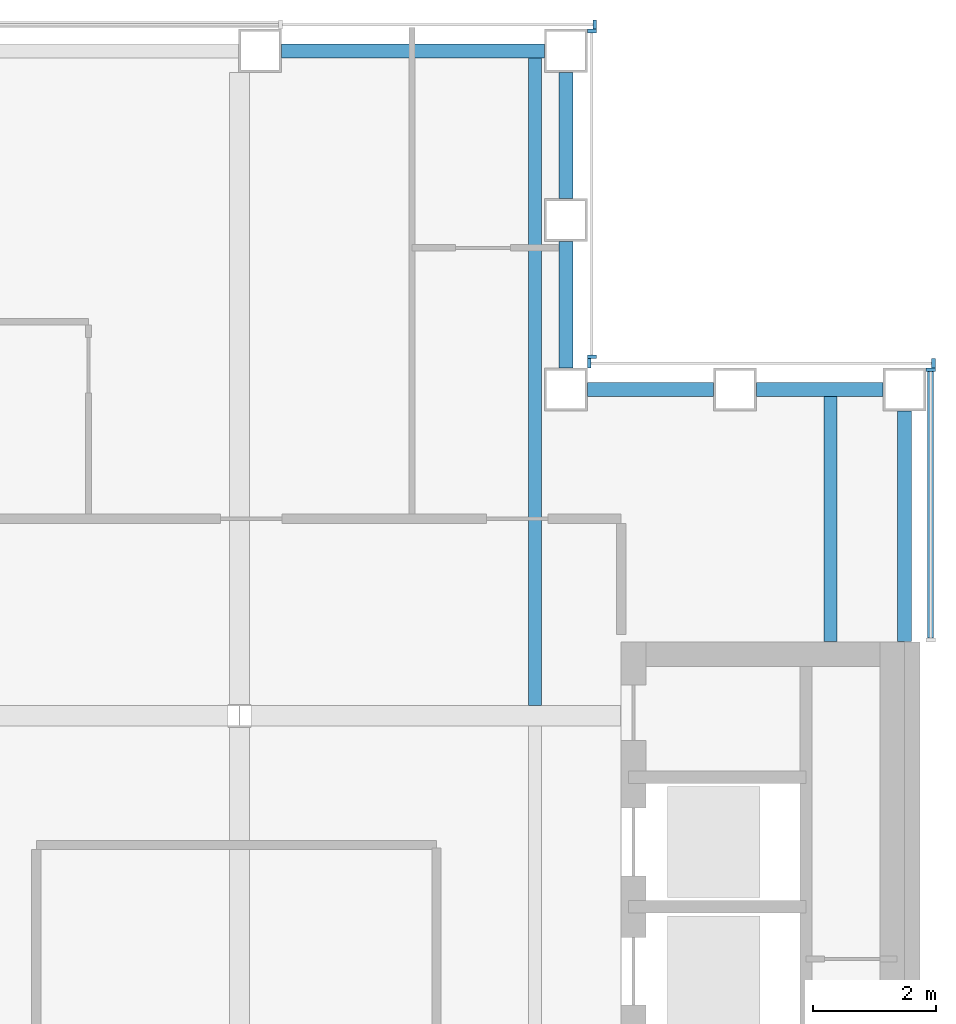
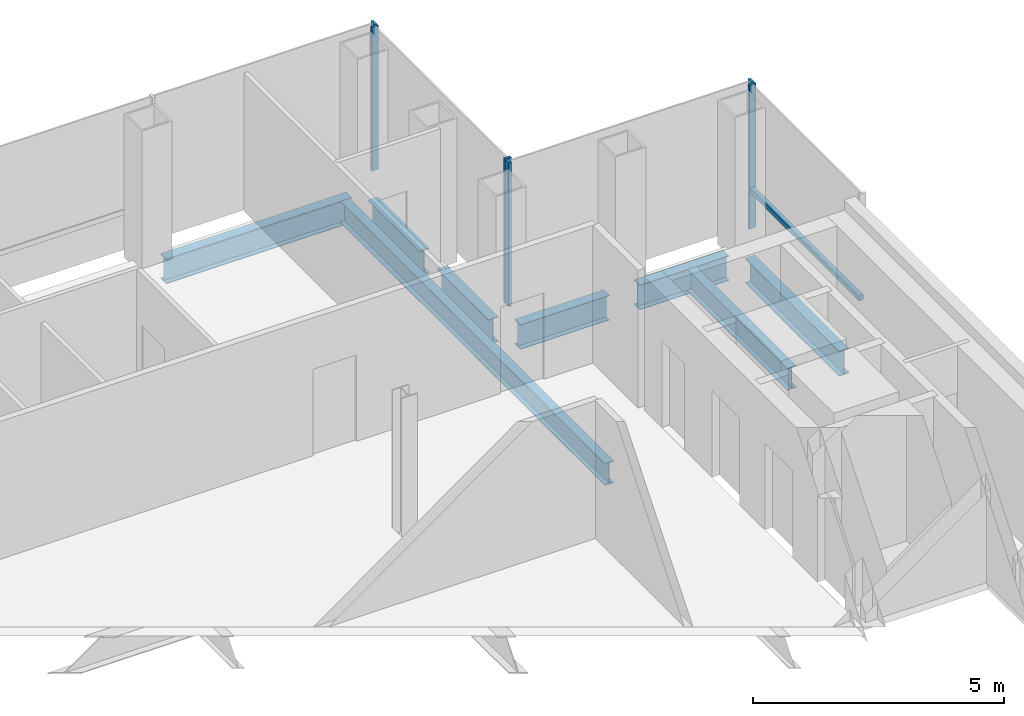
# One storey, part 8 of 15: 8 beams, 7 members, 4 elements without a shape of their own.
"""IFC4 building model written with IfcOpenShell, lengths in metres."""

from ifc_helpers import new_model, si_unit, direction, frame, origin, origin_2d, place, context, subcontext, project, spatial, rectangle, i_section, extrude, material, material_profile, profile_set, type_object, element, aggregate, save


model = new_model("IFC4")

# Units and contexts
model_context = context("Model", 3, precision=1e-05, world=origin(), true_north=direction((0.0, 1.0)))
body_context = subcontext(model_context, "Body", "Model", "MODEL_VIEW")
ifc_project = project(units=[si_unit("LENGTHUNIT", "METRE"), si_unit("AREAUNIT", "SQUARE_METRE"), si_unit("VOLUMEUNIT", "CUBIC_METRE"), si_unit("PLANEANGLEUNIT", "RADIAN"), si_unit("MASSUNIT", "GRAM", prefix="KILO")], contexts=[model_context])

# Site, building, storey
site_placement = place(None, origin())
site = spatial("IfcSite", under=ifc_project, at=site_placement, CompositionType="ELEMENT")
building_placement = place(site_placement, origin())
building = spatial("IfcBuilding", under=site, at=building_placement, Name="Cobrizo Arcos Hotel Tower", CompositionType="ELEMENT")
storey_placement = place(building_placement, frame((0.0, 0.0, 201.5)))
storey = spatial("IfcBuildingStorey", under=building, at=storey_placement, Name="L52", CompositionType="ELEMENT", Elevation=201.5)

# Curtain wall, member
ifc_material_1 = material(Name="Aluminium 6063-T6 anodised bronze", Category="aluminium")
curtain_wall_type = type_object("IfcCurtainWallType", Name="CW-A guest facade", PredefinedType="NOTDEFINED", material=ifc_material_1)
curtain_wall_1_placement = place(storey_placement, origin())
curtain_wall_1 = element("IfcCurtainWall", 1, at=curtain_wall_1_placement, inside=storey, type_object=curtain_wall_type, Name="CW-A L52 E face", PredefinedType="NOTDEFINED")
ifc_material_profile_1 = material_profile(ifc_material_1, rectangle(XDim=0.14990234375, YDim=0.06005859375, at=origin_2d()), Name="CW-A mullion 150x60")
ifc_profile_set_1 = profile_set([ifc_material_profile_1], Name="Aluminium 6063-T6 anodised bronze")
member_type_1 = type_object("IfcMemberType", Name="CW-A mullion 150x60", PredefinedType="MULLION", material=ifc_profile_set_1)
member_1_placement = place(storey_placement, frame((20.824951171875, 15.219970703125, 0.0), z_axis=(0.0, 0.0, 1.0), x_axis=(1.0, 0.0, 0.0)))
member_1 = element("IfcMember", 2, at=member_1_placement, type_object=member_type_1, Name="CW-A mullion 2", PredefinedType="MULLION", context=body_context, shape_type="SweptSolid", body=[
    extrude(rectangle(XDim=0.14990234375, YDim=0.06005859375, at=origin_2d()), origin(), (0.0, 0.0, 1.0), 3.5),
])

# Curtain wall, members
curtain_wall_2_placement = place(storey_placement, origin())
curtain_wall_2 = element("IfcCurtainWall", 3, at=curtain_wall_2_placement, inside=storey, type_object=curtain_wall_type, Name="CW-A L52 N face", PredefinedType="NOTDEFINED")
member_2_placement = place(storey_placement, frame((20.8701171875, 15.324951171875, 0.0), z_axis=(0.0, 0.0, 1.0), x_axis=(0.0, 1.0, 0.0)))
member_2 = element("IfcMember", 4, at=member_2_placement, type_object=member_type_1, Name="CW-A mullion 1", PredefinedType="MULLION", context=body_context, shape_type="SweptSolid", body=[
    extrude(rectangle(XDim=0.14990234375, YDim=0.06005859375, at=origin_2d()), origin(), (0.0, 0.0, 1.0), 3.5),
])
member_3_placement = place(storey_placement, frame((15.280029296875, 15.324951171875, 0.0), z_axis=(0.0, 0.0, 1.0), x_axis=(0.0, 1.0, 0.0)))
member_3 = element("IfcMember", 5, at=member_3_placement, type_object=member_type_1, Name="CW-A mullion 2", PredefinedType="MULLION", context=body_context, shape_type="SweptSolid", body=[
    extrude(rectangle(XDim=0.14990234375, YDim=0.06005859375, at=origin_2d()), origin(), (0.0, 0.0, 1.0), 3.5),
])
aggregate(curtain_wall_2, [member_2, member_3])

curtain_wall_3_placement = place(storey_placement, origin())
curtain_wall_3 = element("IfcCurtainWall", 6, at=curtain_wall_3_placement, inside=storey, type_object=curtain_wall_type, Name="CW-A L52 E face", PredefinedType="NOTDEFINED")
member_4_placement = place(storey_placement, frame((15.324951171875, 15.429931640625, 0.0), z_axis=(0.0, 0.0, 1.0), x_axis=(1.0, 0.0, 0.0)))
member_4 = element("IfcMember", 7, at=member_4_placement, type_object=member_type_1, Name="CW-A mullion 1", PredefinedType="MULLION", context=body_context, shape_type="SweptSolid", body=[
    extrude(rectangle(XDim=0.14990234375, YDim=0.06005859375, at=origin_2d()), origin(), (0.0, 0.0, 1.0), 3.5),
])
member_5_placement = place(storey_placement, frame((15.324951171875, 20.719970703125, 0.0), z_axis=(0.0, 0.0, 1.0), x_axis=(1.0, 0.0, 0.0)))
member_5 = element("IfcMember", 8, at=member_5_placement, type_object=member_type_1, Name="CW-A mullion 2", PredefinedType="MULLION", context=body_context, shape_type="SweptSolid", body=[
    extrude(rectangle(XDim=0.14990234375, YDim=0.06005859375, at=origin_2d()), origin(), (0.0, 0.0, 1.0), 3.5),
])
aggregate(curtain_wall_3, [member_4, member_5])

# Curtain wall, member
curtain_wall_4_placement = place(storey_placement, origin())
curtain_wall_4 = element("IfcCurtainWall", 9, at=curtain_wall_4_placement, inside=storey, type_object=curtain_wall_type, Name="CW-A L52 N face", PredefinedType="NOTDEFINED")
member_6_placement = place(storey_placement, frame((15.3701171875, 20.824951171875, 0.0), z_axis=(0.0, 0.0, 1.0), x_axis=(0.0, 1.0, 0.0)))
member_6 = element("IfcMember", 10, at=member_6_placement, type_object=member_type_1, Name="CW-A mullion 1", PredefinedType="MULLION", context=body_context, shape_type="SweptSolid", body=[
    extrude(rectangle(XDim=0.14990234375, YDim=0.06005859375, at=origin_2d()), origin(), (0.0, 0.0, 1.0), 3.5),
])
aggregate(curtain_wall_4, [member_6])

# Member
ifc_material_profile_2 = material_profile(ifc_material_1, rectangle(XDim=0.10009765625, YDim=0.1201171875, at=origin_2d()), Name="CW-A transom 120x100")
ifc_profile_set_2 = profile_set([ifc_material_profile_2], Name="Aluminium 6063-T6 anodised bronze")
member_type_2 = type_object("IfcMemberType", Name="CW-A transom 120x100", PredefinedType="USERDEFINED", material=ifc_profile_set_2)
member_7_placement = place(storey_placement, frame((20.824951171875, 10.860107421875, 0.929931640625), z_axis=(0.0, 1.0, 0.0), x_axis=(-1.0, 0.0, 0.0)))
member_7 = element("IfcMember", 11, at=member_7_placement, type_object=member_type_2, Name="CW-A transom 1777", ObjectType="TRANSOM", PredefinedType="USERDEFINED", context=body_context, shape_type="SweptSolid", body=[
    extrude(rectangle(XDim=0.10009765625, YDim=0.1201171875, at=origin_2d()), origin(), (0.0, 0.0, 1.0), 4.329833984375),
])

aggregate(curtain_wall_1, [member_1, member_7])

# Beams
ifc_material_2 = material(Name="Steel ASTM A992 Grade 50", Category="steel")
ifc_material_profile_3 = material_profile(ifc_material_2, i_section(OverallWidth=0.209228515625, OverallDepth=0.533447265625, WebThickness=0.01025390625, FlangeThickness=0.015625, at=origin_2d()), Name="W21X62")
ifc_profile_set_3 = profile_set([ifc_material_profile_3], Name="Steel ASTM A992 Grade 50")
beam_type_1 = type_object("IfcBeamType", Name="W21X62 joist", PredefinedType="JOIST", material=ifc_profile_set_3)
beam_1_placement = place(storey_placement, frame((14.39990234375, 9.763916015625, -0.416748046875), z_axis=(0.0, 1.0, 0.0), x_axis=(-1.0, 0.0, 0.0)))
element("IfcBeam", 12, at=beam_1_placement, inside=storey, type_object=beam_type_1, Name="Floor joist J1, L52, no. 018", PredefinedType="JOIST", context=body_context, shape_type="SweptSolid", body=[
    extrude(i_section(OverallWidth=0.209228515625, OverallDepth=0.533447265625, WebThickness=0.01025390625, FlangeThickness=0.015625, at=origin_2d()), origin(), (0.0, 0.0, 1.0), 10.546142578125),
])
beam_2_placement = place(storey_placement, frame((19.199951171875, 10.81005859375, -0.416748046875), z_axis=(0.0, 1.0, 0.0), x_axis=(-1.0, 0.0, 0.0)))
element("IfcBeam", 13, at=beam_2_placement, inside=storey, type_object=beam_type_1, Name="Floor joist J1, L52, no. 020", PredefinedType="JOIST", context=body_context, shape_type="SweptSolid", body=[
    extrude(i_section(OverallWidth=0.209228515625, OverallDepth=0.533447265625, WebThickness=0.01025390625, FlangeThickness=0.015625, at=origin_2d()), origin(), (0.0, 0.0, 1.0), 4.0),
])
ifc_material_profile_4 = material_profile(ifc_material_2, i_section(OverallWidth=0.228271484375, OverallDepth=0.607177734375, WebThickness=0.01123046875, FlangeThickness=0.017333984375, at=origin_2d()), Name="W24X76")
ifc_profile_set_4 = profile_set([ifc_material_profile_4], Name="Steel ASTM A992 Grade 50")
beam_type_2 = type_object("IfcBeamType", Name="W24X76 spandrel", PredefinedType="SPANDREL", material=ifc_profile_set_4)
beam_3_placement = place(storey_placement, frame((20.39990234375, 10.81005859375, -0.45361328125), z_axis=(0.0, 1.0, 0.0), x_axis=(-1.0, 0.0, 0.0)))
element("IfcBeam", 14, at=beam_3_placement, inside=storey, type_object=beam_type_2, Name="Spandrel beam W24X76, L52, no. 012", PredefinedType="SPANDREL", context=body_context, shape_type="SweptSolid", body=[
    extrude(i_section(OverallWidth=0.228271484375, OverallDepth=0.607177734375, WebThickness=0.01123046875, FlangeThickness=0.017333984375, at=origin_2d()), origin(), (0.0, 0.0, 1.0), 3.739990234375),
])
for number, where, z_axis, x_axis, name in (
    (15, (20.050048828125, 14.89990234375, -0.45361328125), (-1.0, 0.0, 0.0), (0.0, -1.0, 0.0), "Spandrel beam W24X76, L52, no. 013"),
    (16, (17.300048828125, 14.89990234375, -0.45361328125), (-1.0, 0.0, 0.0), (0.0, -1.0, 0.0), "Spandrel beam W24X76, L52, no. 014"),
    (17, (14.89990234375, 15.25, -0.45361328125), (0.0, 1.0, 0.0), (-1.0, 0.0, 0.0), "Spandrel beam W24X76, L52, no. 015"),
    (18, (14.89990234375, 18.0, -0.45361328125), (0.0, 1.0, 0.0), (-1.0, 0.0, 0.0), "Spandrel beam W24X76, L52, no. 016"),
):
    element("IfcBeam", number, at=place(storey_placement, frame(where, z_axis=z_axis, x_axis=x_axis)), inside=storey, type_object=beam_type_2, Name=name, PredefinedType="SPANDREL", context=body_context, shape_type="SweptSolid", body=[
        extrude(i_section(OverallWidth=0.228271484375, OverallDepth=0.607177734375, WebThickness=0.01123046875, FlangeThickness=0.017333984375, at=origin_2d()), origin(), (0.0, 0.0, 1.0), 2.050048828125),
    ])
beam_4_placement = place(storey_placement, frame((14.550048828125, 20.39990234375, -0.45361328125), z_axis=(-1.0, 0.0, 0.0), x_axis=(0.0, -1.0, 0.0)))
element("IfcBeam", 19, at=beam_4_placement, inside=storey, type_object=beam_type_2, Name="Spandrel beam W24X76, L52, no. 017", PredefinedType="SPANDREL", context=body_context, shape_type="SweptSolid", body=[
    extrude(i_section(OverallWidth=0.228271484375, OverallDepth=0.607177734375, WebThickness=0.01123046875, FlangeThickness=0.017333984375, at=origin_2d()), origin(), (0.0, 0.0, 1.0), 4.26708984375),
])

save(model, "model.ifc")
